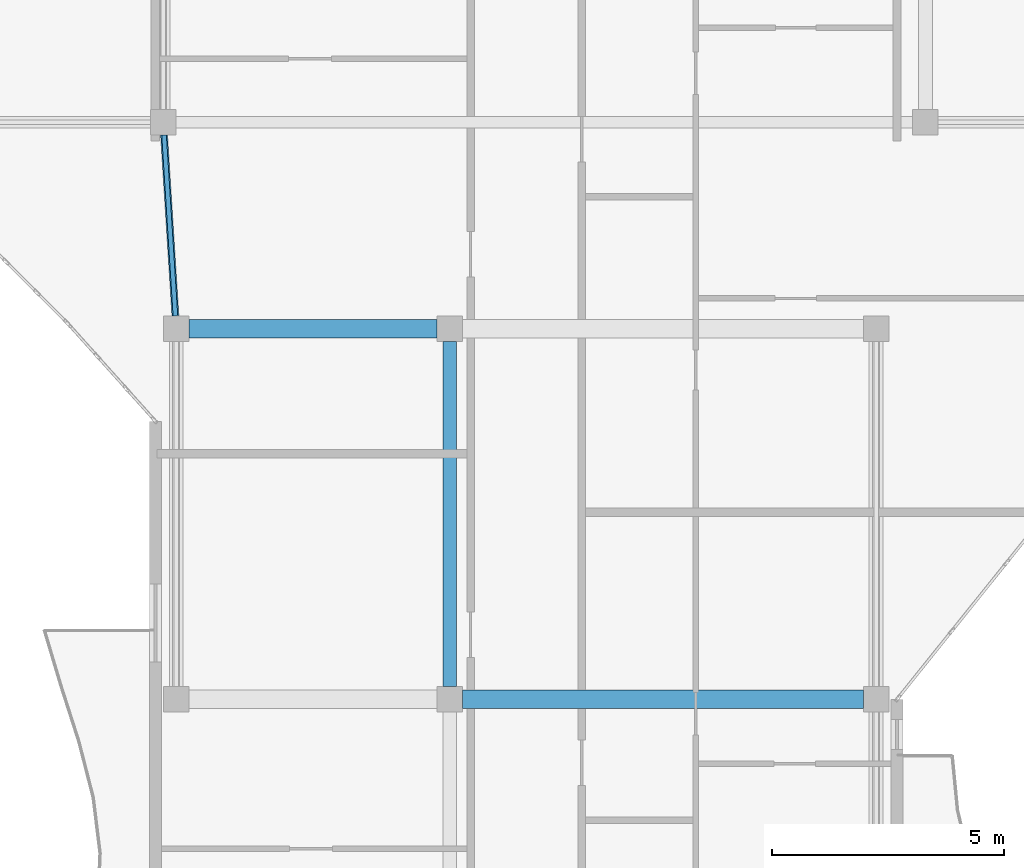
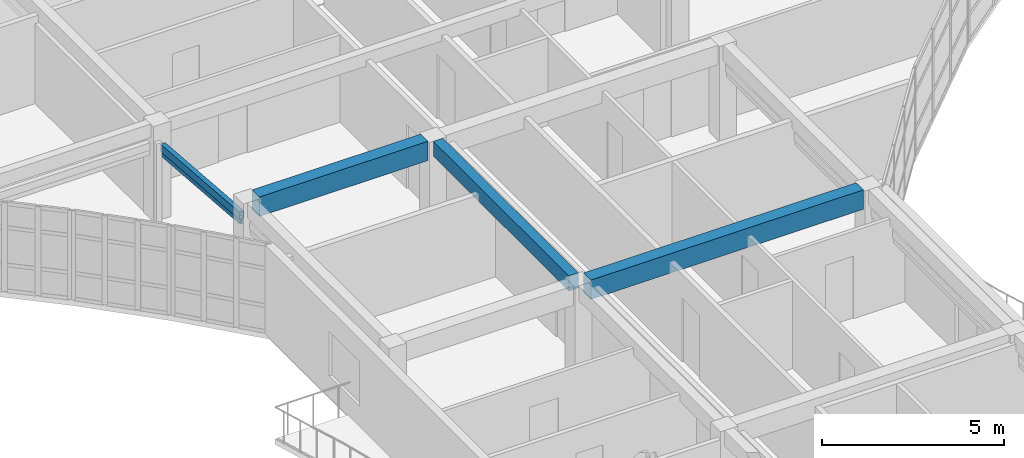
# One storey, part 5 of 68: 3 beams, 2 members.
"""IFC4 building model written with IfcOpenShell, lengths in metres."""

from ifc_helpers import new_model, si_unit, direction, frame, origin, origin_2d, place, context, subcontext, project, spatial, rectangle, hollow_rectangle, extrude, material, material_profile, profile_set, type_object, element, save


model = new_model("IFC4")

# Units and contexts
model_context = context("Model", 3, precision=1e-05, world=origin(), true_north=direction((0.0, 1.0)))
body_context = subcontext(model_context, "Body", "Model", "MODEL_VIEW")
ifc_project = project(units=[si_unit("LENGTHUNIT", "METRE"), si_unit("AREAUNIT", "SQUARE_METRE"), si_unit("VOLUMEUNIT", "CUBIC_METRE"), si_unit("PLANEANGLEUNIT", "RADIAN"), si_unit("MASSUNIT", "GRAM", prefix="KILO")], contexts=[model_context])

# Site, building, storey
site_placement = place(None, origin())
site = spatial("IfcSite", under=ifc_project, at=site_placement, CompositionType="ELEMENT")
building_placement = place(site_placement, origin())
building = spatial("IfcBuilding", under=site, at=building_placement, Name="Keldmere Railside Commons", CompositionType="ELEMENT")
storey_placement = place(building_placement, frame((0.0, 0.0, 23.360107421875)))
storey = spatial("IfcBuildingStorey", under=building, at=storey_placement, Name="L07", CompositionType="ELEMENT", Elevation=23.360107421875)

# Member
ifc_material_1 = material(Name="Steel F-36 (S355)", Category="steel")
ifc_material_profile_1 = material_profile(ifc_material_1, hollow_rectangle(XDim=0.14990234375, YDim=0.25, WallThickness=0.010009765625, at=origin_2d()), Name="RHS-250x150x10")
ifc_profile_set_1 = profile_set([ifc_material_profile_1], Name="Steel F-36 (S355)")
member_type_1 = type_object("IfcMemberType", Name="Balcony Continuous Planted Trough RHS250x150", PredefinedType="CHORD", material=ifc_profile_set_1)
member_1_placement = place(storey_placement, frame((48.4326171875, 96.2744140625, 2.414794921875), z_axis=(-0.062771017895, 0.998027955176, 0.0), x_axis=(-0.998027955176, -0.062771017895, 0.0)))
element("IfcMember", 1, at=member_1_placement, inside=storey, type_object=member_type_1, Name="PLT-1 MEM-BPLT-0799", PredefinedType="CHORD", context=body_context, shape_type="SweptSolid", body=[
    extrude(hollow_rectangle(XDim=0.14990234375, YDim=0.25, WallThickness=0.010009765625, at=origin_2d()), origin(), (0.0, 0.0, 1.0), 3.908935546875),
])

# Beams
ifc_material_2 = material(Name="Concrete H-30 (C30/37)", Category="concrete")
ifc_material_profile_2 = material_profile(ifc_material_2, rectangle(XDim=0.39990234375, YDim=0.64990234375, at=origin_2d()), Name="RC-400x650")
ifc_profile_set_2 = profile_set([ifc_material_profile_2], Name="Concrete H-30 (C30/37)")
beam_type_1 = type_object("IfcBeamType", Name="Residential Spine RC Girder 400x650", PredefinedType="BEAM", material=ifc_profile_set_2)
beam_1_placement = place(storey_placement, frame((54.625, 88.0, 2.875), z_axis=(1.0, 0.0, 0.0), x_axis=(0.0, 1.0, 0.0)))
element("IfcBeam", 2, at=beam_1_placement, inside=storey, type_object=beam_type_1, Name="BG-3 BM-L07-2041", PredefinedType="BEAM", context=body_context, shape_type="SweptSolid", body=[
    extrude(rectangle(XDim=0.39990234375, YDim=0.64990234375, at=origin_2d()), origin(), (0.0, 0.0, 1.0), 8.64990234375),
])
beam_2_placement = place(storey_placement, frame((48.72509765625, 96.0, 2.875), z_axis=(1.0, 0.0, 0.0), x_axis=(0.0, 1.0, 0.0)))
element("IfcBeam", 3, at=beam_2_placement, inside=storey, type_object=beam_type_1, Name="BG-3 BM-L07-2048", PredefinedType="BEAM", context=body_context, shape_type="SweptSolid", body=[
    extrude(rectangle(XDim=0.39990234375, YDim=0.64990234375, at=origin_2d()), origin(), (0.0, 0.0, 1.0), 5.349853515625),
])
ifc_material_profile_3 = material_profile(ifc_material_2, rectangle(XDim=0.300048828125, YDim=0.5, at=origin_2d()), Name="RC-300x500")
ifc_profile_set_3 = profile_set([ifc_material_profile_3], Name="Concrete H-30 (C30/37)")
beam_type_2 = type_object("IfcBeamType", Name="Secondary Frame RC Beam 300x500", PredefinedType="BEAM", material=ifc_profile_set_3)
beam_3_placement = place(storey_placement, frame((54.35009765625, 88.27490234375, 2.949951171875), z_axis=(0.0, 1.0, 0.0), x_axis=(-1.0, 0.0, 0.0)))
element("IfcBeam", 4, at=beam_3_placement, inside=storey, type_object=beam_type_2, Name="BG-5 BM-L07-2110", PredefinedType="BEAM", context=body_context, shape_type="SweptSolid", body=[
    extrude(rectangle(XDim=0.300048828125, YDim=0.5, at=origin_2d()), origin(), (0.0, 0.0, 1.0), 7.4501953125),
])

# Member
ifc_material_profile_4 = material_profile(ifc_material_1, hollow_rectangle(XDim=0.10009765625, YDim=0.159912109375, WallThickness=0.008056640625, at=origin_2d()), Name="RHS-160x100x8")
ifc_profile_set_4 = profile_set([ifc_material_profile_4], Name="Steel F-36 (S355)")
member_type_2 = type_object("IfcMemberType", Name="Solar Brise-Soleil Louvre Fin RHS160x100", PredefinedType="STRUT", material=ifc_profile_set_4)
member_2_placement = place(storey_placement, frame((48.4326171875, 96.2744140625, 2.199951171875), z_axis=(-0.062771017895, 0.998027955176, 0.0), x_axis=(-0.998027955176, -0.062771017895, 0.0)))
element("IfcMember", 5, at=member_2_placement, inside=storey, type_object=member_type_2, Name="BSF-1 MEM-BSF-0800", PredefinedType="STRUT", context=body_context, shape_type="SweptSolid", body=[
    extrude(hollow_rectangle(XDim=0.10009765625, YDim=0.159912109375, WallThickness=0.008056640625, at=origin_2d()), origin(), (0.0, 0.0, 1.0), 3.908935546875),
])

save(model, "model.ifc")
